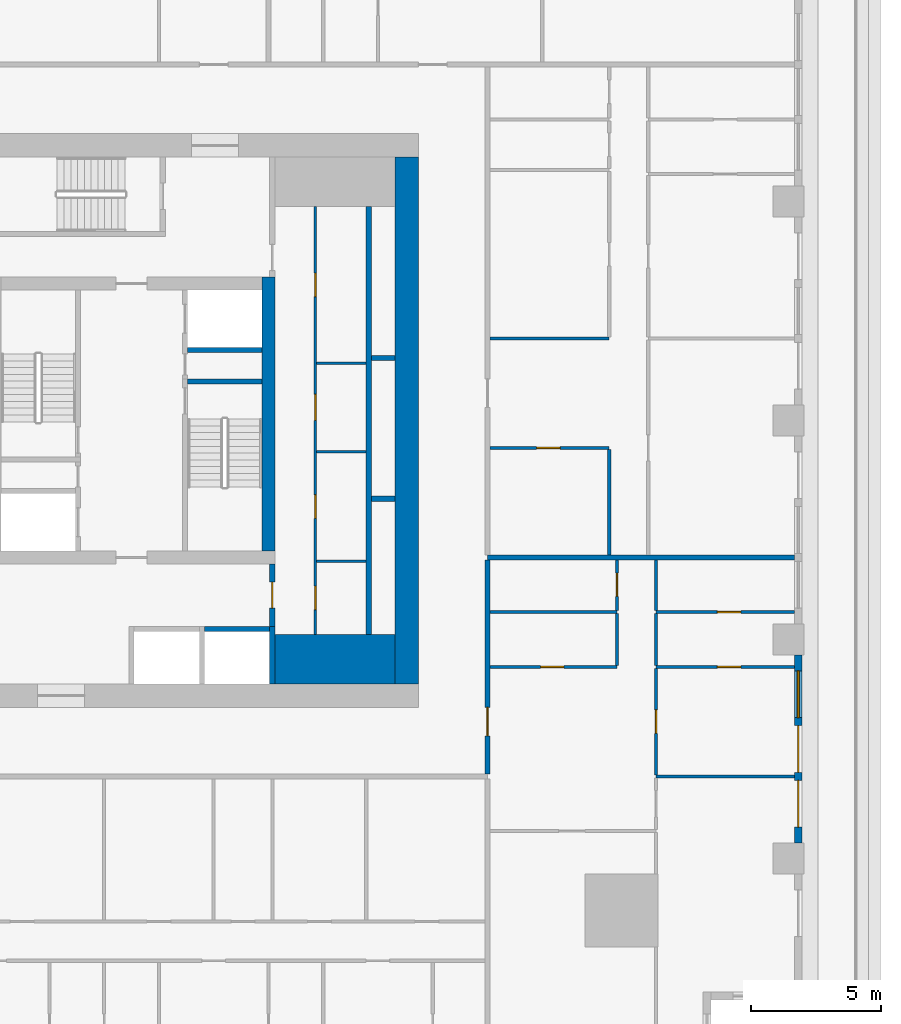
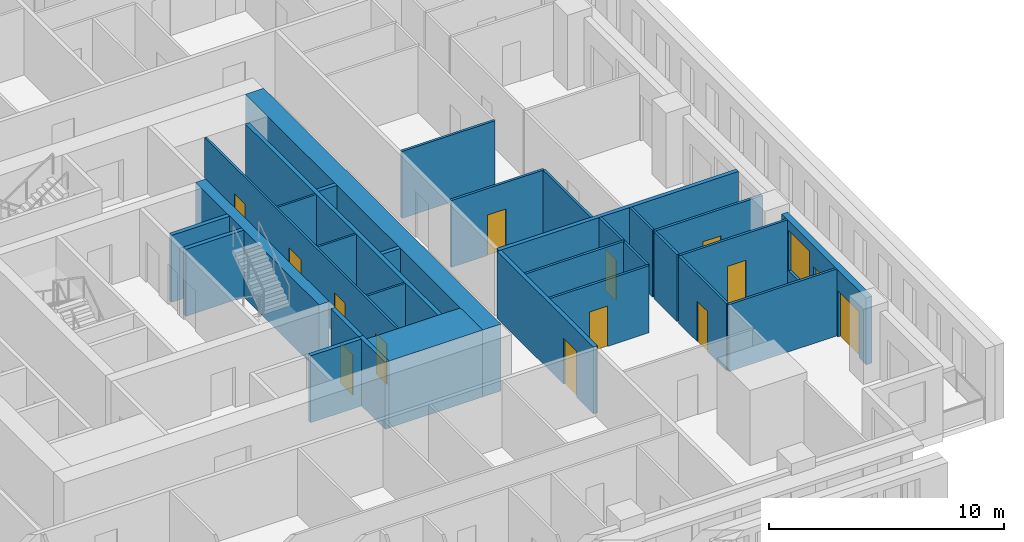
# One storey, part 5 of 15: 31 walls, 14 doors, 1 window, 15 openings.
"""IFC4 building model written with IfcOpenShell, lengths in metres."""

from ifc_helpers import new_model, si_unit, direction, frame, frame_2d, origin, place, context, subcontext, project, spatial, rectangle, extrude, material, layer, layer_set, type_object, element, fill, save


model = new_model("IFC4")

# Units and contexts
model_context = context("Model", 3, precision=1e-05, world=origin(), true_north=direction((0.0, 1.0)))
body_context = subcontext(model_context, "Body", "Model", "MODEL_VIEW")
ifc_project = project(units=[si_unit("LENGTHUNIT", "METRE"), si_unit("AREAUNIT", "SQUARE_METRE"), si_unit("VOLUMEUNIT", "CUBIC_METRE"), si_unit("PLANEANGLEUNIT", "RADIAN"), si_unit("MASSUNIT", "GRAM", prefix="KILO")], contexts=[model_context])

# Site, building, storey
site_placement = place(None, origin())
site = spatial("IfcSite", under=ifc_project, at=site_placement, CompositionType="ELEMENT")
building_placement = place(site_placement, origin())
building = spatial("IfcBuilding", under=site, at=building_placement, Name="Khepri Terraces", CompositionType="ELEMENT")
storey_placement = place(building_placement, frame((0.0, 0.0, 83.10009765625)))
storey = spatial("IfcBuildingStorey", under=building, at=storey_placement, Name="L19", CompositionType="ELEMENT", Elevation=83.10009765625)

# Walls
ifc_material_1 = material(Name="Concrete C70/85", Category="concrete")
ifc_layer_1 = layer(ifc_material_1, 1.89990234375, Name="Concrete C70/85", Category="concrete")
ifc_layer_set_1 = layer_set([ifc_layer_1], Name="Concrete C70/85")
wall_type_1 = type_object("IfcWallType", Name="Core wall 1900 C70/85", PredefinedType="SHEAR", material=ifc_layer_set_1)
wall_1_placement = place(storey_placement, frame((5.5, -9.14990234375, 0.0), z_axis=(0.0, 0.0, 1.0), x_axis=(1.0, 0.0, 0.0)))
element("IfcWall", 1, at=wall_1_placement, inside=storey, type_object=wall_type_1, Name="Core wall PR02 L19", PredefinedType="SHEAR", context=body_context, shape_type="SweptSolid", body=[
    extrude(rectangle(XDim=4.60009765625, YDim=1.89990234375, at=frame_2d((2.300048828125, 0.0))), origin(), (0.0, 0.0, 1.0), 3.47998046875),
])
ifc_layer_2 = layer(ifc_material_1, 0.199951171875, Name="Concrete C70/85", Category="concrete")
ifc_layer_set_2 = layer_set([ifc_layer_2], Name="Concrete C70/85")
wall_type_2 = type_object("IfcWallType", Name="Core wall 200 C70/85", PredefinedType="SHEAR", material=ifc_layer_set_2)
wall_2_placement = place(storey_placement, frame((2.14990234375, 1.5, 0.0), z_axis=(0.0, 0.0, 1.0), x_axis=(1.0, 0.0, 0.0)))
element("IfcWall", 2, at=wall_2_placement, inside=storey, type_object=wall_type_2, Name="Core wall ST04 L19", PredefinedType="SHEAR", context=body_context, shape_type="SweptSolid", body=[
    extrude(rectangle(XDim=2.85009765625, YDim=0.199951171875, at=frame_2d((1.425048828125, 0.0))), origin(), (0.0, 0.0, 1.0), 3.47998046875),
])
wall_3_placement = place(storey_placement, frame((5.39990234375, -10.10009765625, 0.0), z_axis=(0.0, 0.0, 1.0), x_axis=(0.0, 1.0, 0.0)))
element("IfcWall", 3, at=wall_3_placement, inside=storey, type_object=wall_type_2, Name="Core wall SH03 L19", PredefinedType="SHEAR", context=body_context, shape_type="SweptSolid", body=[
    extrude(rectangle(XDim=2.2001953125, YDim=0.199951171875, at=frame_2d((1.10009765625, 0.0))), origin(), (0.0, 0.0, 1.0), 3.47998046875),
])
wall_4_placement = place(storey_placement, frame((9.10009765625, -8.199951171875, 0.0), z_axis=(0.0, 0.0, 1.0), x_axis=(0.0, 1.0, 0.0)))
element("IfcWall", 4, at=wall_4_placement, inside=storey, type_object=wall_type_2, Name="Core wall SH05 L19", PredefinedType="SHEAR", context=body_context, shape_type="SweptSolid", body=[
    extrude(rectangle(XDim=16.39990234375, YDim=0.199951171875, at=frame_2d((8.199951171875, 0.0))), origin(), (0.0, 0.0, 1.0), 3.47998046875),
])
wall_5_placement = place(storey_placement, frame((2.800048828125, -8.0, 0.0), z_axis=(0.0, 0.0, 1.0), x_axis=(1.0, 0.0, 0.0)))
element("IfcWall", 5, at=wall_5_placement, inside=storey, type_object=wall_type_2, Name="Core wall SH07 L19", PredefinedType="SHEAR", context=body_context, shape_type="SweptSolid", body=[
    extrude(rectangle(XDim=2.5, YDim=0.199951171875, at=frame_2d((1.25, 0.0))), origin(), (0.0, 0.0, 1.0), 3.47998046875),
])
for number, where, z_axis, x_axis, name in (
    (6, (9.199951171875, -3.0, 0.0), (0.0, 0.0, 1.0), (1.0, 0.0, 0.0), "Core wall SH11 L19"),
    (7, (9.199951171875, 2.39990234375, 0.0), (0.0, 0.0, 1.0), (1.0, 0.0, 0.0), "Core wall SH16 L19"),
):
    element("IfcWall", number, at=place(storey_placement, frame(where, z_axis=z_axis, x_axis=x_axis)), inside=storey, type_object=wall_type_2, Name=name, PredefinedType="SHEAR", context=body_context, shape_type="SweptSolid", body=[
        extrude(rectangle(XDim=0.900146484375, YDim=0.199951171875, at=frame_2d((0.4501953125, 0.0))), origin(), (0.0, 0.0, 1.0), 3.47998046875),
    ])
wall_6_placement = place(storey_placement, frame((2.14990234375, 2.699951171875, 0.0), z_axis=(0.0, 0.0, 1.0), x_axis=(1.0, 0.0, 0.0)))
element("IfcWall", 8, at=wall_6_placement, inside=storey, type_object=wall_type_2, Name="Core wall SH18 L19", PredefinedType="SHEAR", context=body_context, shape_type="SweptSolid", body=[
    extrude(rectangle(XDim=2.85009765625, YDim=0.199951171875, at=frame_2d((1.425048828125, 0.0))), origin(), (0.0, 0.0, 1.0), 3.47998046875),
])
ifc_layer_3 = layer(ifc_material_1, 0.5, Name="Concrete C70/85", Category="concrete")
ifc_layer_set_3 = layer_set([ifc_layer_3], Name="Concrete C70/85")
wall_type_3 = type_object("IfcWallType", Name="Core wall 500 C70/85", PredefinedType="SHEAR", material=ifc_layer_set_3)
wall_7_placement = place(storey_placement, frame((5.25, -5.0, 0.0), z_axis=(0.0, 0.0, 1.0), x_axis=(0.0, 1.0, 0.0)))
element("IfcWall", 9, at=wall_7_placement, inside=storey, type_object=wall_type_3, Name="Core wall BX03 L19", PredefinedType="SHEAR", context=body_context, shape_type="SweptSolid", body=[
    extrude(rectangle(XDim=10.5, YDim=0.5, at=frame_2d((5.25, 0.0))), origin(), (0.0, 0.0, 1.0), 3.47998046875),
])
ifc_layer_4 = layer(ifc_material_1, 0.89990234375, Name="Concrete C70/85", Category="concrete")
ifc_layer_set_4 = layer_set([ifc_layer_4], Name="Concrete C70/85")
wall_type_4 = type_object("IfcWallType", Name="Core wall 900 C70/85", PredefinedType="SHEAR", material=ifc_layer_set_4)
wall_8_placement = place(storey_placement, frame((10.550048828125, -10.10009765625, 0.0), z_axis=(0.0, 0.0, 1.0), x_axis=(0.0, 1.0, 0.0)))
element("IfcWall", 10, at=wall_8_placement, inside=storey, type_object=wall_type_4, Name="Core wall OW-E L19", PredefinedType="SHEAR", context=body_context, shape_type="SweptSolid", body=[
    extrude(rectangle(XDim=20.2001953125, YDim=0.89990234375, at=frame_2d((10.10009765625, 0.0))), origin(), (0.0, 0.0, 1.0), 3.47998046875),
])

# Wall, openings, doors
ifc_material_2 = material(Name="Fire-rated gypsum board partition")
ifc_layer_5 = layer(ifc_material_2, 0.10009765625, Name="Fire-rated gypsum board partition")
ifc_layer_set_5 = layer_set([ifc_layer_5], Name="Fire-rated gypsum board partition")
wall_type_5 = type_object("IfcWallType", Name="WL-CORE-PART-100", PredefinedType="PARTITIONING", material=ifc_layer_set_5)
wall_9_placement = place(storey_placement, frame((7.050048828125, -8.199951171875, 0.0), z_axis=(0.0, 0.0, 1.0), x_axis=(0.0, 1.0, 0.0)))
wall_9 = element("IfcWall", 11, at=wall_9_placement, inside=storey, type_object=wall_type_5, Name="Core partition PT02 L19", PredefinedType="PARTITIONING", context=body_context, shape_type="SweptSolid", body=[
    extrude(rectangle(XDim=16.39990234375, YDim=0.10009765625, at=frame_2d((8.199951171875, 0.0))), origin(), (0.0, 0.0, 1.0), 3.47998046875),
])
opening_1_placement = place(wall_9_placement, frame((0.949951171875, 0.0, 0.0)))
opening_1 = element("IfcOpeningElement", 12, at=opening_1_placement, cuts=wall_9, Name="Opening L19-C22", PredefinedType="OPENING", context=body_context, shape_type="SweptSolid", body=[
    extrude(rectangle(XDim=0.89990234375, YDim=2.10009765625, at=frame_2d((0.449951171875, 1.050048828125))), frame((0.0, 0.06005859375, 0.0), z_axis=(0.0, -1.0, 0.0), x_axis=(1.0, 0.0, 0.0)), (0.0, 0.0, 1.0), 0.1201171875),
])
opening_2_placement = place(wall_9_placement, frame((4.449951171875, 0.0, 0.0)))
opening_2 = element("IfcOpeningElement", 13, at=opening_2_placement, cuts=wall_9, Name="Opening L19-C23", PredefinedType="OPENING", context=body_context, shape_type="SweptSolid", body=[
    extrude(rectangle(XDim=0.89990234375, YDim=2.10009765625, at=frame_2d((0.449951171875, 1.050048828125))), frame((0.0, 0.06005859375, 0.0), z_axis=(0.0, -1.0, 0.0), x_axis=(1.0, 0.0, 0.0)), (0.0, 0.0, 1.0), 0.1201171875),
])
opening_3_placement = place(wall_9_placement, frame((8.199951171875, 0.0, 0.0)))
opening_3 = element("IfcOpeningElement", 14, at=opening_3_placement, cuts=wall_9, Name="Opening L19-C24", PredefinedType="OPENING", context=body_context, shape_type="SweptSolid", body=[
    extrude(rectangle(XDim=1.0, YDim=2.10009765625, at=frame_2d((0.5, 1.050048828125))), frame((0.0, 0.06005859375, 0.0), z_axis=(0.0, -1.0, 0.0), x_axis=(1.0, 0.0, 0.0)), (0.0, 0.0, 1.0), 0.1201171875),
])
opening_4_placement = place(wall_9_placement, frame((12.949951171875, 0.0, 0.0)))
opening_4 = element("IfcOpeningElement", 15, at=opening_4_placement, cuts=wall_9, Name="Opening L19-C25", PredefinedType="OPENING", context=body_context, shape_type="SweptSolid", body=[
    extrude(rectangle(XDim=0.89990234375, YDim=2.10009765625, at=frame_2d((0.449951171875, 1.050048828125))), frame((0.0, 0.06005859375, 0.0), z_axis=(0.0, -1.0, 0.0), x_axis=(1.0, 0.0, 0.0)), (0.0, 0.0, 1.0), 0.1201171875),
])
ifc_material_3 = material(Name="Painted steel", Category="steel")
door_type_1 = type_object("IfcDoorType", Name="DR-CORE-SERVICE-900", OperationType="NOTDEFINED", PredefinedType="DOOR", material=ifc_material_3)
door_1_placement = place(opening_1_placement, frame((0.89990234375, 0.0, 0.0), z_axis=(0.0, 0.0, 1.0), x_axis=(-1.0, 0.0, 0.0)))
door_1 = element("IfcDoor", 16, at=door_1_placement, inside=storey, type_object=door_type_1, Name="Service room door L19-C22", OperationType="SINGLE_SWING_RIGHT", OverallHeight=2.10009765625, OverallWidth=0.89990234375, PredefinedType="DOOR", context=body_context, shape_type="SweptSolid", body=[
    extrude(rectangle(XDim=0.89990234375, YDim=2.10009765625, at=frame_2d((0.449951171875, 1.050048828125))), frame((0.0, 0.02490234375, 0.0), z_axis=(0.0, -1.0, 0.0), x_axis=(1.0, 0.0, 0.0)), (0.0, 0.0, 1.0), 0.050048828125),
])
fill(opening_1, door_1)
door_2_placement = place(opening_2_placement, frame((0.89990234375, 0.0, 0.0), z_axis=(0.0, 0.0, 1.0), x_axis=(-1.0, 0.0, 0.0)))
door_2 = element("IfcDoor", 17, at=door_2_placement, inside=storey, type_object=door_type_1, Name="Service room door L19-C23", OperationType="SINGLE_SWING_RIGHT", OverallHeight=2.10009765625, OverallWidth=0.89990234375, PredefinedType="DOOR", context=body_context, shape_type="SweptSolid", body=[
    extrude(rectangle(XDim=0.89990234375, YDim=2.10009765625, at=frame_2d((0.449951171875, 1.050048828125))), frame((0.0, 0.02490234375, 0.0), z_axis=(0.0, -1.0, 0.0), x_axis=(1.0, 0.0, 0.0)), (0.0, 0.0, 1.0), 0.050048828125),
])
fill(opening_2, door_2)
door_3_placement = place(opening_4_placement, frame((0.89990234375, 0.0, 0.0), z_axis=(0.0, 0.0, 1.0), x_axis=(-1.0, 0.0, 0.0)))
door_3 = element("IfcDoor", 18, at=door_3_placement, inside=storey, type_object=door_type_1, Name="Service room door L19-C25", OperationType="SINGLE_SWING_LEFT", OverallHeight=2.10009765625, OverallWidth=0.89990234375, PredefinedType="DOOR", context=body_context, shape_type="SweptSolid", body=[
    extrude(rectangle(XDim=0.89990234375, YDim=2.10009765625, at=frame_2d((0.449951171875, 1.050048828125))), frame((0.0, 0.02490234375, 0.0), z_axis=(0.0, -1.0, 0.0), x_axis=(1.0, 0.0, 0.0)), (0.0, 0.0, 1.0), 0.050048828125),
])
fill(opening_4, door_3)
ifc_material_4 = material(Name="Timber veneer", Category="wood")
door_type_2 = type_object("IfcDoorType", Name="DR-CORE-WC-1000", OperationType="NOTDEFINED", PredefinedType="DOOR", material=ifc_material_4)
door_4_placement = place(opening_3_placement, frame((1.0, 0.0, 0.0), z_axis=(0.0, 0.0, 1.0), x_axis=(-1.0, 0.0, 0.0)))
door_4 = element("IfcDoor", 19, at=door_4_placement, inside=storey, type_object=door_type_2, Name="WC door L19-C24", OperationType="SINGLE_SWING_LEFT", OverallHeight=2.10009765625, OverallWidth=1.0, PredefinedType="DOOR", context=body_context, shape_type="SweptSolid", body=[
    extrude(rectangle(XDim=1.0, YDim=2.10009765625, at=frame_2d((0.5, 1.050048828125))), frame((0.0, 0.02490234375, 0.0), z_axis=(0.0, -1.0, 0.0), x_axis=(1.0, 0.0, 0.0)), (0.0, 0.0, 1.0), 0.050048828125),
])
fill(opening_3, door_4)

# Walls
for number, where, z_axis, x_axis, name in (
    (20, (7.10009765625, -5.39990234375, 0.0), (0.0, 0.0, 1.0), (1.0, 0.0, 0.0), "Core partition PT04 L19"),
    (21, (7.10009765625, -1.199951171875, 0.0), (0.0, 0.0, 1.0), (1.0, 0.0, 0.0), "Core partition PT05 L19"),
    (22, (7.10009765625, 2.199951171875, 0.0), (0.0, 0.0, 1.0), (1.0, 0.0, 0.0), "Core partition PT06 L19"),
):
    element("IfcWall", number, at=place(storey_placement, frame(where, z_axis=z_axis, x_axis=x_axis)), inside=storey, type_object=wall_type_5, Name=name, PredefinedType="PARTITIONING", context=body_context, shape_type="SweptSolid", body=[
        extrude(rectangle(XDim=1.89990234375, YDim=0.10009765625, at=frame_2d((0.949951171875, 0.0))), origin(), (0.0, 0.0, 1.0), 3.47998046875),
    ])

# Wall, opening, door
ifc_layer_6 = layer(ifc_material_2, 0.199951171875, Name="Fire-rated gypsum board partition")
ifc_layer_set_6 = layer_set([ifc_layer_6], Name="Fire-rated gypsum board partition")
wall_type_6 = type_object("IfcWallType", Name="WL-CORE-PART-200", PredefinedType="PARTITIONING", material=ifc_layer_set_6)
wall_10_placement = place(storey_placement, frame((5.39990234375, -7.89990234375, 0.0), z_axis=(0.0, 0.0, 1.0), x_axis=(0.0, 1.0, 0.0)))
wall_10 = element("IfcWall", 23, at=wall_10_placement, inside=storey, type_object=wall_type_6, Name="Core partition PT03 L19", PredefinedType="PARTITIONING", context=body_context, shape_type="SweptSolid", body=[
    extrude(rectangle(XDim=2.39990234375, YDim=0.199951171875, at=frame_2d((1.199951171875, 0.0))), origin(), (0.0, 0.0, 1.0), 3.47998046875),
])
opening_5_placement = place(wall_10_placement, frame((0.699951171875, 0.0, 0.0)))
opening_5 = element("IfcOpeningElement", 24, at=opening_5_placement, cuts=wall_10, Name="Opening L19-C19", PredefinedType="OPENING", context=body_context, shape_type="SweptSolid", body=[
    extrude(rectangle(XDim=1.0, YDim=2.10009765625, at=frame_2d((0.5, 1.050048828125))), frame((0.0, 0.10986328125, 0.0), z_axis=(0.0, -1.0, 0.0), x_axis=(1.0, 0.0, 0.0)), (0.0, 0.0, 1.0), 0.219970703125),
])
door_type_3 = type_object("IfcDoorType", Name="DR-CORE-LOBBY-1000", OperationType="NOTDEFINED", PredefinedType="DOOR", material=ifc_material_3)
door_5_placement = place(opening_5_placement, origin())
door_5 = element("IfcDoor", 25, at=door_5_placement, inside=storey, type_object=door_type_3, Name="Lobby door L19-C19", OperationType="SINGLE_SWING_RIGHT", OverallHeight=2.10009765625, OverallWidth=1.0, PredefinedType="DOOR", context=body_context, shape_type="SweptSolid", body=[
    extrude(rectangle(XDim=1.0, YDim=2.10009765625, at=frame_2d((0.5, 1.050048828125))), frame((0.0, 0.02490234375, 0.0), z_axis=(0.0, -1.0, 0.0), x_axis=(1.0, 0.0, 0.0)), (0.0, 0.0, 1.0), 0.050048828125),
])
fill(opening_5, door_5)

ifc_material_5 = material(Name="Fire-rated gypsum plasterboard partition, mineral wool")
ifc_layer_7 = layer(ifc_material_5, 0.199951171875, Name="Fire-rated gypsum plasterboard partition, mineral wool")
ifc_layer_set_7 = layer_set([ifc_layer_7], Name="Fire-rated gypsum plasterboard partition, mineral wool")
wall_type_7 = type_object("IfcWallType", Name="WL-CORR-200", PredefinedType="PARTITIONING", material=ifc_layer_set_7)
wall_11_placement = place(storey_placement, frame((13.64990234375, -13.550048828125, 0.0), z_axis=(0.0, 0.0, 1.0), x_axis=(0.0, 1.0, 0.0)))
wall_11 = element("IfcWall", 26, at=wall_11_placement, inside=storey, type_object=wall_type_7, Name="Partition P-028 L19", PredefinedType="PARTITIONING", context=body_context, shape_type="SweptSolid", body=[
    extrude(rectangle(XDim=8.199951171875, YDim=0.199951171875, at=frame_2d((4.10009765625, 0.0))), origin(), (0.0, 0.0, 1.0), 3.47998046875),
])
opening_6_placement = place(wall_11_placement, frame((1.449951171875, 0.0, 0.0)))
opening_6 = element("IfcOpeningElement", 27, at=opening_6_placement, cuts=wall_11, Name="Opening D1", PredefinedType="OPENING", context=body_context, shape_type="SweptSolid", body=[
    extrude(rectangle(XDim=1.10009765625, YDim=2.39990234375, at=frame_2d((0.550048828125, 1.199951171875))), frame((0.0, 0.10986328125, 0.0), z_axis=(0.0, -1.0, 0.0), x_axis=(1.0, 0.0, 0.0)), (0.0, 0.0, 1.0), 0.219970703125),
])
ifc_material_6 = material(Name="Solid-core timber door leaf, flat entrance door", Category="wood")
door_type_4 = type_object("IfcDoorType", Name="DR-ENT-1100", OperationType="NOTDEFINED", PredefinedType="DOOR", material=ifc_material_6)
door_6_placement = place(opening_6_placement, frame((1.10009765625, 0.0, 0.0), z_axis=(0.0, 0.0, 1.0), x_axis=(-1.0, 0.0, 0.0)))
door_6 = element("IfcDoor", 28, at=door_6_placement, inside=storey, type_object=door_type_4, Name="Flat B1 entrance door", OperationType="SINGLE_SWING_RIGHT", OverallHeight=2.39990234375, OverallWidth=1.10009765625, PredefinedType="DOOR", context=body_context, shape_type="SweptSolid", body=[
    extrude(rectangle(XDim=1.10009765625, YDim=2.39990234375, at=frame_2d((0.550048828125, 1.199951171875))), frame((0.0, 0.02490234375, 0.0), z_axis=(0.0, -1.0, 0.0), x_axis=(1.0, 0.0, 0.0)), (0.0, 0.0, 1.0), 0.050048828125),
])
fill(opening_6, door_6)

# Wall
wall_12_placement = place(storey_placement, frame((13.64990234375, -5.25, 0.0), z_axis=(0.0, 0.0, 1.0), x_axis=(1.0, 0.0, 0.0)))
element("IfcWall", 29, at=wall_12_placement, inside=storey, type_object=wall_type_7, Name="Partition P-045 L19", PredefinedType="PARTITIONING", context=body_context, shape_type="SweptSolid", body=[
    extrude(rectangle(XDim=11.77001953125, YDim=0.199951171875, at=frame_2d((5.885009765625, 0.0))), origin(), (0.0, 0.0, 1.0), 3.47998046875),
])

# Wall, openings, doors, window
ifc_material_7 = material(Name="Precast concrete C50/60 warm stone", Category="masonry")
ifc_layer_8 = layer(ifc_material_7, 0.300048828125, Name="Precast concrete C50/60 warm stone", Category="masonry")
ifc_layer_set_8 = layer_set([ifc_layer_8], Name="Precast concrete C50/60 warm stone")
wall_type_8 = type_object("IfcWallType", Name="WL-EXT-PRECAST-300", PredefinedType="STANDARD", material=ifc_layer_set_8)
wall_13_placement = place(storey_placement, frame((25.570068359375, -16.199951171875, 0.0), z_axis=(0.0, 0.0, 1.0), x_axis=(0.0, 1.0, 0.0)))
wall_13 = element("IfcWall", 30, at=wall_13_placement, inside=storey, type_object=wall_type_8, Name="External wall L19 E", PredefinedType="STANDARD", context=body_context, shape_type="SweptSolid", body=[
    extrude(rectangle(XDim=7.199951171875, YDim=0.300048828125, at=frame_2d((3.60009765625, 0.0))), origin(), (0.0, 0.0, 1.0), 3.47998046875),
])
opening_7_placement = place(wall_13_placement, frame((0.60009765625, 0.0, 0.0)))
opening_7 = element("IfcOpeningElement", 31, at=opening_7_placement, cuts=wall_13, Name="Opening ED-L19-02", PredefinedType="OPENING", context=body_context, shape_type="SweptSolid", body=[
    extrude(rectangle(XDim=1.800048828125, YDim=2.39990234375, at=frame_2d((0.89990234375, 1.199951171875))), frame((0.0, 0.16015625, 0.0), z_axis=(0.0, -1.0, 0.0), x_axis=(1.0, 0.0, 0.0)), (0.0, 0.0, 1.0), 0.320068359375),
])
opening_8_placement = place(wall_13_placement, frame((2.699951171875, 0.0, 0.0)))
opening_8 = element("IfcOpeningElement", 32, at=opening_8_placement, cuts=wall_13, Name="Opening ED-L19-03", PredefinedType="OPENING", context=body_context, shape_type="SweptSolid", body=[
    extrude(rectangle(XDim=1.800048828125, YDim=2.39990234375, at=frame_2d((0.89990234375, 1.199951171875))), frame((0.0, 0.16015625, 0.0), z_axis=(0.0, -1.0, 0.0), x_axis=(1.0, 0.0, 0.0)), (0.0, 0.0, 1.0), 0.320068359375),
])
opening_9_placement = place(wall_13_placement, frame((4.800048828125, 0.0, 0.89990234375)))
opening_9 = element("IfcOpeningElement", 33, at=opening_9_placement, cuts=wall_13, Name="Opening W1", PredefinedType="OPENING", context=body_context, shape_type="SweptSolid", body=[
    extrude(rectangle(XDim=1.800048828125, YDim=2.10009765625, at=frame_2d((0.89990234375, 1.050048828125))), frame((0.0, 0.16015625, 0.0), z_axis=(0.0, -1.0, 0.0), x_axis=(1.0, 0.0, 0.0)), (0.0, 0.0, 1.0), 0.320068359375),
])
ifc_material_8 = material(Name="Anodised aluminium bronze glazed door", Category="aluminium")
door_type_5 = type_object("IfcDoorType", Name="DR-BAL-SLIDE-1800x2400", OperationType="NOTDEFINED", PredefinedType="DOOR", material=ifc_material_8)
door_7_placement = place(opening_7_placement, origin())
door_7 = element("IfcDoor", 34, at=door_7_placement, inside=storey, type_object=door_type_5, Name="Balcony door L19 E", OperationType="SLIDING_TO_LEFT", OverallHeight=2.39990234375, OverallWidth=1.800048828125, PredefinedType="DOOR", context=body_context, shape_type="SweptSolid", body=[
    extrude(rectangle(XDim=1.800048828125, YDim=2.39990234375, at=frame_2d((0.89990234375, 1.199951171875))), frame((0.0, 0.02490234375, 0.0), z_axis=(0.0, -1.0, 0.0), x_axis=(1.0, 0.0, 0.0)), (0.0, 0.0, 1.0), 0.050048828125),
])
fill(opening_7, door_7)
door_8_placement = place(opening_8_placement, origin())
door_8 = element("IfcDoor", 35, at=door_8_placement, inside=storey, type_object=door_type_5, Name="Balcony door L19 E", OperationType="SLIDING_TO_RIGHT", OverallHeight=2.39990234375, OverallWidth=1.800048828125, PredefinedType="DOOR", context=body_context, shape_type="SweptSolid", body=[
    extrude(rectangle(XDim=1.800048828125, YDim=2.39990234375, at=frame_2d((0.89990234375, 1.199951171875))), frame((0.0, 0.02490234375, 0.0), z_axis=(0.0, -1.0, 0.0), x_axis=(1.0, 0.0, 0.0)), (0.0, 0.0, 1.0), 0.050048828125),
])
fill(opening_8, door_8)
ifc_material_9 = material(Name="Clear glass", Category="glass")
window_type = type_object("IfcWindowType", Name="WIN-RES-1800x2100", PartitioningType="SINGLE_PANEL", PredefinedType="WINDOW", material=ifc_material_9)
window_placement = place(opening_9_placement, origin())
window = element("IfcWindow", 36, at=window_placement, inside=storey, type_object=window_type, Name="Window L19 E", OverallHeight=2.10009765625, OverallWidth=1.800048828125, PartitioningType="SINGLE_PANEL", PredefinedType="WINDOW", context=body_context, shape_type="SweptSolid", body=[
    extrude(rectangle(XDim=1.800048828125, YDim=2.10009765625, at=frame_2d((0.89990234375, 1.050048828125))), frame((0.0, 0.030029296875, 0.0), z_axis=(0.0, -1.0, 0.0), x_axis=(1.0, 0.0, 0.0)), (0.0, 0.0, 1.0), 0.06005859375),
])
fill(opening_9, window)

# Wall
ifc_material_10 = material(Name="Gypsum plasterboard partition")
ifc_layer_9 = layer(ifc_material_10, 0.1201171875, Name="Gypsum plasterboard partition")
ifc_layer_set_9 = layer_set([ifc_layer_9], Name="Gypsum plasterboard partition")
wall_type_9 = type_object("IfcWallType", Name="WL-PART-120", PredefinedType="PARTITIONING", material=ifc_layer_set_9)
wall_14_placement = place(storey_placement, frame((20.1201171875, -13.64990234375, 0.0), z_axis=(0.0, 0.0, 1.0), x_axis=(1.0, 0.0, 0.0)))
element("IfcWall", 37, at=wall_14_placement, inside=storey, type_object=wall_type_9, Name="Partition P-023 L19", PredefinedType="PARTITIONING", context=body_context, shape_type="SweptSolid", body=[
    extrude(rectangle(XDim=5.2998046875, YDim=0.1201171875, at=frame_2d((2.64990234375, 0.0))), origin(), (0.0, 0.0, 1.0), 3.47998046875),
])

# Wall, opening, door
wall_15_placement = place(storey_placement, frame((20.1201171875, -13.590087890625, 0.0), z_axis=(0.0, 0.0, 1.0), x_axis=(0.0, 1.0, 0.0)))
wall_15 = element("IfcWall", 38, at=wall_15_placement, inside=storey, type_object=wall_type_9, Name="Partition P-024 L19", PredefinedType="PARTITIONING", context=body_context, shape_type="SweptSolid", body=[
    extrude(rectangle(XDim=4.080078125, YDim=0.1201171875, at=frame_2d((2.0400390625, 0.0))), origin(), (0.0, 0.0, 1.0), 3.47998046875),
])
opening_10_placement = place(wall_15_placement, frame((1.590087890625, 0.0, 0.0)))
opening_10 = element("IfcOpeningElement", 39, at=opening_10_placement, cuts=wall_15, Name="Opening D3", PredefinedType="OPENING", context=body_context, shape_type="SweptSolid", body=[
    extrude(rectangle(XDim=0.89990234375, YDim=2.10009765625, at=frame_2d((0.449951171875, 1.050048828125))), frame((0.0, 0.070068359375, 0.0), z_axis=(0.0, -1.0, 0.0), x_axis=(1.0, 0.0, 0.0)), (0.0, 0.0, 1.0), 0.14013671875),
])
ifc_material_11 = material(Name="Timber door leaf", Category="wood")
door_type_6 = type_object("IfcDoorType", Name="DR-INT-900", OperationType="NOTDEFINED", PredefinedType="DOOR", material=ifc_material_11)
door_9_placement = place(opening_10_placement, frame((0.89990234375, 0.0, 0.0), z_axis=(0.0, 0.0, 1.0), x_axis=(-1.0, 0.0, 0.0)))
door_9 = element("IfcDoor", 40, at=door_9_placement, inside=storey, type_object=door_type_6, Name="Door Master Bedroom", OperationType="SINGLE_SWING_RIGHT", OverallHeight=2.10009765625, OverallWidth=0.89990234375, PredefinedType="DOOR", context=body_context, shape_type="SweptSolid", body=[
    extrude(rectangle(XDim=0.89990234375, YDim=2.10009765625, at=frame_2d((0.449951171875, 1.050048828125))), frame((0.0, 0.02490234375, 0.0), z_axis=(0.0, -1.0, 0.0), x_axis=(1.0, 0.0, 0.0)), (0.0, 0.0, 1.0), 0.050048828125),
])
fill(opening_10, door_9)

wall_16_placement = place(storey_placement, frame((13.75, -9.449951171875, 0.0), z_axis=(0.0, 0.0, 1.0), x_axis=(1.0, 0.0, 0.0)))
wall_16 = element("IfcWall", 41, at=wall_16_placement, inside=storey, type_object=wall_type_9, Name="Partition P-034 L19", PredefinedType="PARTITIONING", context=body_context, shape_type="SweptSolid", body=[
    extrude(rectangle(XDim=4.8701171875, YDim=0.1201171875, at=frame_2d((2.43505859375, 0.0))), origin(), (0.0, 0.0, 1.0), 3.47998046875),
])
opening_11_placement = place(wall_16_placement, frame((1.93505859375, 0.0, 0.0)))
opening_11 = element("IfcOpeningElement", 42, at=opening_11_placement, cuts=wall_16, Name="Opening D4", PredefinedType="OPENING", context=body_context, shape_type="SweptSolid", body=[
    extrude(rectangle(XDim=0.89990234375, YDim=2.10009765625, at=frame_2d((0.449951171875, 1.050048828125))), frame((0.0, 0.070068359375, 0.0), z_axis=(0.0, -1.0, 0.0), x_axis=(1.0, 0.0, 0.0)), (0.0, 0.0, 1.0), 0.14013671875),
])
ifc_material_12 = material(Name="Timber door leaf, moisture resistant", Category="wood")
door_type_7 = type_object("IfcDoorType", Name="DR-WET-900", OperationType="NOTDEFINED", PredefinedType="DOOR", material=ifc_material_12)
door_10_placement = place(opening_11_placement, origin())
door_10 = element("IfcDoor", 43, at=door_10_placement, inside=storey, type_object=door_type_7, Name="Door Guest Bathroom", OperationType="SINGLE_SWING_LEFT", OverallHeight=2.10009765625, OverallWidth=0.89990234375, PredefinedType="DOOR", context=body_context, shape_type="SweptSolid", body=[
    extrude(rectangle(XDim=0.89990234375, YDim=2.10009765625, at=frame_2d((0.449951171875, 1.050048828125))), frame((0.0, 0.02490234375, 0.0), z_axis=(0.0, -1.0, 0.0), x_axis=(1.0, 0.0, 0.0)), (0.0, 0.0, 1.0), 0.050048828125),
])
fill(opening_11, door_10)

wall_17_placement = place(storey_placement, frame((20.1201171875, -9.449951171875, 0.0), z_axis=(0.0, 0.0, 1.0), x_axis=(1.0, 0.0, 0.0)))
wall_17 = element("IfcWall", 44, at=wall_17_placement, inside=storey, type_object=wall_type_9, Name="Partition P-035 L19", PredefinedType="PARTITIONING", context=body_context, shape_type="SweptSolid", body=[
    extrude(rectangle(XDim=5.2998046875, YDim=0.1201171875, at=frame_2d((2.64990234375, 0.0))), origin(), (0.0, 0.0, 1.0), 3.47998046875),
])
opening_12_placement = place(wall_17_placement, frame((2.35009765625, 0.0, 0.0)))
opening_12 = element("IfcOpeningElement", 45, at=opening_12_placement, cuts=wall_17, Name="Opening D3", PredefinedType="OPENING", context=body_context, shape_type="SweptSolid", body=[
    extrude(rectangle(XDim=0.89990234375, YDim=2.10009765625, at=frame_2d((0.449951171875, 1.050048828125))), frame((0.0, 0.070068359375, 0.0), z_axis=(0.0, -1.0, 0.0), x_axis=(1.0, 0.0, 0.0)), (0.0, 0.0, 1.0), 0.14013671875),
])
door_11_placement = place(opening_12_placement, origin())
door_11 = element("IfcDoor", 46, at=door_11_placement, inside=storey, type_object=door_type_6, Name="Door Dressing Room", OperationType="SINGLE_SWING_RIGHT", OverallHeight=2.10009765625, OverallWidth=0.89990234375, PredefinedType="DOOR", context=body_context, shape_type="SweptSolid", body=[
    extrude(rectangle(XDim=0.89990234375, YDim=2.10009765625, at=frame_2d((0.449951171875, 1.050048828125))), frame((0.0, 0.02490234375, 0.0), z_axis=(0.0, -1.0, 0.0), x_axis=(1.0, 0.0, 0.0)), (0.0, 0.0, 1.0), 0.050048828125),
])
fill(opening_12, door_11)

# Walls
for number, where, z_axis, x_axis, name in (
    (47, (18.6201171875, -9.389892578125, 0.0), (0.0, 0.0, 1.0), (0.0, 1.0, 0.0), "Partition P-037 L19"),
    (48, (20.1201171875, -9.389892578125, 0.0), (0.0, 0.0, 1.0), (0.0, 1.0, 0.0), "Partition P-038 L19"),
):
    element("IfcWall", number, at=place(storey_placement, frame(where, z_axis=z_axis, x_axis=x_axis)), inside=storey, type_object=wall_type_9, Name=name, PredefinedType="PARTITIONING", context=body_context, shape_type="SweptSolid", body=[
        extrude(rectangle(XDim=1.97998046875, YDim=0.1201171875, at=frame_2d((0.989990234375, 0.0))), origin(), (0.0, 0.0, 1.0), 3.47998046875),
    ])
wall_18_placement = place(storey_placement, frame((13.75, -7.35009765625, 0.0), z_axis=(0.0, 0.0, 1.0), x_axis=(1.0, 0.0, 0.0)))
element("IfcWall", 49, at=wall_18_placement, inside=storey, type_object=wall_type_9, Name="Partition P-040 L19", PredefinedType="PARTITIONING", context=body_context, shape_type="SweptSolid", body=[
    extrude(rectangle(XDim=4.8701171875, YDim=0.1201171875, at=frame_2d((2.43505859375, 0.0))), origin(), (0.0, 0.0, 1.0), 3.47998046875),
])

# Wall, opening, door
wall_19_placement = place(storey_placement, frame((20.1201171875, -7.35009765625, 0.0), z_axis=(0.0, 0.0, 1.0), x_axis=(1.0, 0.0, 0.0)))
wall_19 = element("IfcWall", 50, at=wall_19_placement, inside=storey, type_object=wall_type_9, Name="Partition P-041 L19", PredefinedType="PARTITIONING", context=body_context, shape_type="SweptSolid", body=[
    extrude(rectangle(XDim=5.2998046875, YDim=0.1201171875, at=frame_2d((2.64990234375, 0.0))), origin(), (0.0, 0.0, 1.0), 3.47998046875),
])
opening_13_placement = place(wall_19_placement, frame((2.35009765625, 0.0, 0.0)))
opening_13 = element("IfcOpeningElement", 51, at=opening_13_placement, cuts=wall_19, Name="Opening D4", PredefinedType="OPENING", context=body_context, shape_type="SweptSolid", body=[
    extrude(rectangle(XDim=0.89990234375, YDim=2.10009765625, at=frame_2d((0.449951171875, 1.050048828125))), frame((0.0, 0.070068359375, 0.0), z_axis=(0.0, -1.0, 0.0), x_axis=(1.0, 0.0, 0.0)), (0.0, 0.0, 1.0), 0.14013671875),
])
door_12_placement = place(opening_13_placement, origin())
door_12 = element("IfcDoor", 52, at=door_12_placement, inside=storey, type_object=door_type_7, Name="Door Bathroom", OperationType="SINGLE_SWING_RIGHT", OverallHeight=2.10009765625, OverallWidth=0.89990234375, PredefinedType="DOOR", context=body_context, shape_type="SweptSolid", body=[
    extrude(rectangle(XDim=0.89990234375, YDim=2.10009765625, at=frame_2d((0.449951171875, 1.050048828125))), frame((0.0, 0.02490234375, 0.0), z_axis=(0.0, -1.0, 0.0), x_axis=(1.0, 0.0, 0.0)), (0.0, 0.0, 1.0), 0.050048828125),
])
fill(opening_13, door_12)

wall_20_placement = place(storey_placement, frame((18.6201171875, -7.2900390625, 0.0), z_axis=(0.0, 0.0, 1.0), x_axis=(0.0, 1.0, 0.0)))
wall_20 = element("IfcWall", 53, at=wall_20_placement, inside=storey, type_object=wall_type_9, Name="Partition P-043 L19", PredefinedType="PARTITIONING", context=body_context, shape_type="SweptSolid", body=[
    extrude(rectangle(XDim=1.93994140625, YDim=0.1201171875, at=frame_2d((0.969970703125, 0.0))), origin(), (0.0, 0.0, 1.0), 3.47998046875),
])
opening_14_placement = place(wall_20_placement, frame((0.5400390625, 0.0, 0.0)))
opening_14 = element("IfcOpeningElement", 54, at=opening_14_placement, cuts=wall_20, Name="Opening D3", PredefinedType="OPENING", context=body_context, shape_type="SweptSolid", body=[
    extrude(rectangle(XDim=0.89990234375, YDim=2.10009765625, at=frame_2d((0.449951171875, 1.050048828125))), frame((0.0, 0.070068359375, 0.0), z_axis=(0.0, -1.0, 0.0), x_axis=(1.0, 0.0, 0.0)), (0.0, 0.0, 1.0), 0.14013671875),
])
door_13_placement = place(opening_14_placement, origin())
door_13 = element("IfcDoor", 55, at=door_13_placement, inside=storey, type_object=door_type_6, Name="Door Kitchen", OperationType="SINGLE_SWING_RIGHT", OverallHeight=2.10009765625, OverallWidth=0.89990234375, PredefinedType="DOOR", context=body_context, shape_type="SweptSolid", body=[
    extrude(rectangle(XDim=0.89990234375, YDim=2.10009765625, at=frame_2d((0.449951171875, 1.050048828125))), frame((0.0, 0.02490234375, 0.0), z_axis=(0.0, -1.0, 0.0), x_axis=(1.0, 0.0, 0.0)), (0.0, 0.0, 1.0), 0.050048828125),
])
fill(opening_14, door_13)

# Walls
wall_21_placement = place(storey_placement, frame((20.1201171875, -7.2900390625, 0.0), z_axis=(0.0, 0.0, 1.0), x_axis=(0.0, 1.0, 0.0)))
element("IfcWall", 56, at=wall_21_placement, inside=storey, type_object=wall_type_9, Name="Partition P-044 L19", PredefinedType="PARTITIONING", context=body_context, shape_type="SweptSolid", body=[
    extrude(rectangle(XDim=1.93994140625, YDim=0.1201171875, at=frame_2d((0.969970703125, 0.0))), origin(), (0.0, 0.0, 1.0), 3.47998046875),
])
wall_22_placement = place(storey_placement, frame((18.320068359375, -5.14990234375, 0.0), z_axis=(0.0, 0.0, 1.0), x_axis=(0.0, 1.0, 0.0)))
element("IfcWall", 57, at=wall_22_placement, inside=storey, type_object=wall_type_9, Name="Partition P-047 L19", PredefinedType="PARTITIONING", context=body_context, shape_type="SweptSolid", body=[
    extrude(rectangle(XDim=4.039794921875, YDim=0.1201171875, at=frame_2d((2.02001953125, 0.0))), origin(), (0.0, 0.0, 1.0), 3.47998046875),
])

# Wall, opening, door
wall_23_placement = place(storey_placement, frame((13.75, -1.050048828125, 0.0), z_axis=(0.0, 0.0, 1.0), x_axis=(1.0, 0.0, 0.0)))
wall_23 = element("IfcWall", 58, at=wall_23_placement, inside=storey, type_object=wall_type_9, Name="Partition P-051 L19", PredefinedType="PARTITIONING", context=body_context, shape_type="SweptSolid", body=[
    extrude(rectangle(XDim=4.570068359375, YDim=0.1201171875, at=frame_2d((2.28515625, 0.0))), origin(), (0.0, 0.0, 1.0), 3.47998046875),
])
opening_15_placement = place(wall_23_placement, frame((1.784912109375, 0.0, 0.0)))
opening_15 = element("IfcOpeningElement", 59, at=opening_15_placement, cuts=wall_23, Name="Opening D3", PredefinedType="OPENING", context=body_context, shape_type="SweptSolid", body=[
    extrude(rectangle(XDim=0.89990234375, YDim=2.10009765625, at=frame_2d((0.449951171875, 1.050048828125))), frame((0.0, 0.070068359375, 0.0), z_axis=(0.0, -1.0, 0.0), x_axis=(1.0, 0.0, 0.0)), (0.0, 0.0, 1.0), 0.14013671875),
])
door_14_placement = place(opening_15_placement, frame((0.89990234375, 0.0, 0.0), z_axis=(0.0, 0.0, 1.0), x_axis=(-1.0, 0.0, 0.0)))
door_14 = element("IfcDoor", 60, at=door_14_placement, inside=storey, type_object=door_type_6, Name="Door Utility Room", OperationType="SINGLE_SWING_RIGHT", OverallHeight=2.10009765625, OverallWidth=0.89990234375, PredefinedType="DOOR", context=body_context, shape_type="SweptSolid", body=[
    extrude(rectangle(XDim=0.89990234375, YDim=2.10009765625, at=frame_2d((0.449951171875, 1.050048828125))), frame((0.0, 0.02490234375, 0.0), z_axis=(0.0, -1.0, 0.0), x_axis=(1.0, 0.0, 0.0)), (0.0, 0.0, 1.0), 0.050048828125),
])
fill(opening_15, door_14)

# Wall
wall_24_placement = place(storey_placement, frame((13.75, 3.14990234375, 0.0), z_axis=(0.0, 0.0, 1.0), x_axis=(1.0, 0.0, 0.0)))
element("IfcWall", 61, at=wall_24_placement, inside=storey, type_object=wall_type_9, Name="Partition P-053 L19", PredefinedType="PARTITIONING", context=body_context, shape_type="SweptSolid", body=[
    extrude(rectangle(XDim=4.570068359375, YDim=0.1201171875, at=frame_2d((2.28515625, 0.0))), origin(), (0.0, 0.0, 1.0), 3.47998046875),
])

save(model, "model.ifc")
